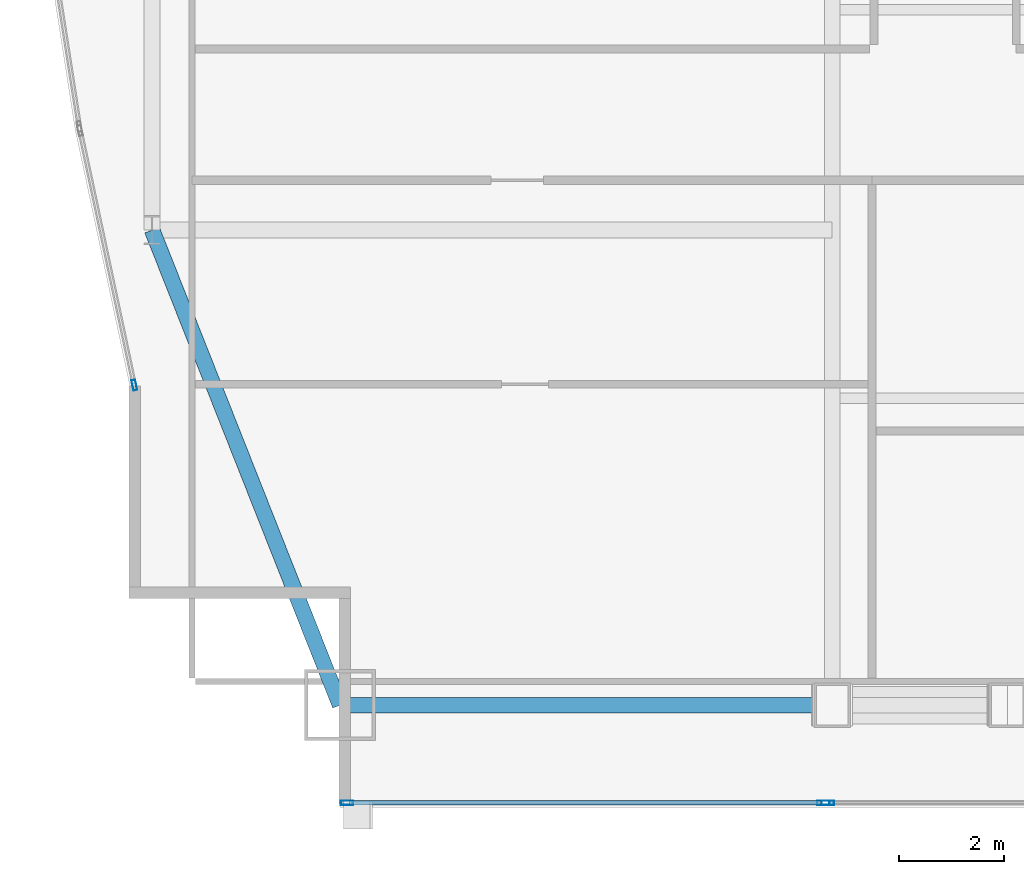
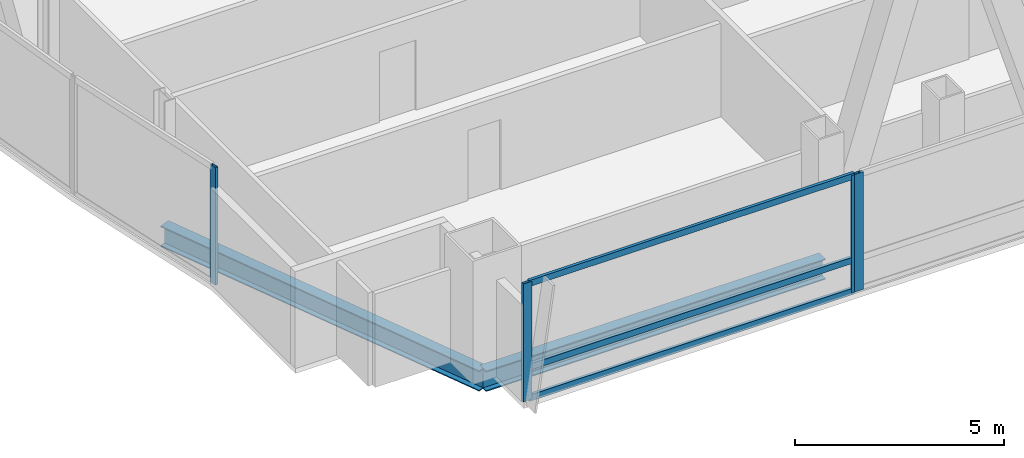
# One storey, part 5 of 30: 7 members, 2 beams, 3 elements without a shape of their own.
"""IFC4 building model written with IfcOpenShell, lengths in metres."""

import ifcopenshell
import ifcopenshell.guid

model = None  # the IFC model being written
_history = None  # IfcOwnerHistory: only IFC2X3 demands one
_inside = {}  # id of a spatial element -> (the spatial element, [elements in it])
_under = {}  # id of a project, library or spatial element -> (it, [spatial elements below it])
_declared = {}  # id of a project -> (the project, [libraries it declares])
_typed = {}  # id of a type object -> (the type object, [elements of that type])
_made_of = {}  # id of a material, layer set ... -> (it, [elements and type objects made of it])


def new_model(schema):
    """Start an empty IFC model of exactly this schema.

    Asked for "IFC4X3", IfcOpenShell would pick the latest addendum, in which some entities
    have other attributes; the version numbers below select the first issue.
    IFC2X3 requires an IfcOwnerHistory on every rooted entity: one is made here for all.
    """
    global model, _history
    if schema == "IFC4X3":
        model = ifcopenshell.file(schema_version=(4, 3, 0, 0))
    else:
        model = ifcopenshell.file(schema=schema)
    _inside.clear()
    _under.clear()
    _declared.clear()
    _typed.clear()
    _made_of.clear()
    _history = None
    if model.schema == "IFC2X3":
        org = make("IfcOrganization", Name="unknown")
        user = make(
            "IfcPersonAndOrganization",
            ThePerson=make("IfcPerson", FamilyName="unknown"),
            TheOrganization=org,
        )
        app = make(
            "IfcApplication",
            ApplicationDeveloper=org,
            Version="unknown",
            ApplicationFullName="unknown",
            ApplicationIdentifier="unknown",
        )
        _history = make(
            "IfcOwnerHistory",
            OwningUser=user,
            OwningApplication=app,
            ChangeAction="ADDED",
            CreationDate=0,
        )
    return model


def make(cls, **values):
    """One entity of the class cls with the attributes given. An attribute that is None is left unset."""
    return model.create_entity(
        cls, **{name: value for name, value in values.items() if value is not None}
    )


def rooted(cls, **values):
    """An entity with a GlobalId (a new one), such as an element, a storey or a relation."""
    return make(cls, GlobalId=ifcopenshell.guid.new(), OwnerHistory=_history, **values)


def si_unit(unit_type, name, prefix=None):
    """IfcSIUnit, for example si_unit("LENGTHUNIT", "METRE", prefix="MILLI")."""
    return make("IfcSIUnit", UnitType=unit_type, Prefix=prefix, Name=name)


def assignment(units):
    """IfcUnitAssignment: the units of a project."""
    return None if units is None else make("IfcUnitAssignment", Units=units)


def point(xyz):
    """IfcCartesianPoint."""
    return None if xyz is None else make("IfcCartesianPoint", Coordinates=xyz)


def direction(xyz):
    """IfcDirection."""
    return None if xyz is None else make("IfcDirection", DirectionRatios=xyz)


def frame(location, z_axis=None, x_axis=None):
    """IfcAxis2Placement3D, a coordinate frame: its origin and axes. An axis left out is left unset."""
    return make(
        "IfcAxis2Placement3D",
        Location=point(location),
        Axis=direction(z_axis),
        RefDirection=direction(x_axis),
    )


def frame_2d(location, x_axis=None):
    """IfcAxis2Placement2D, a coordinate frame in the plane: its origin and x axis."""
    return make(
        "IfcAxis2Placement2D", Location=point(location), RefDirection=direction(x_axis)
    )


def origin():
    """The frame at (0, 0, 0) with its axes left unset."""
    return frame((0.0, 0.0, 0.0))


def origin_2d():
    """The frame at (0, 0) in the plane with its x axis left unset."""
    return frame_2d((0.0, 0.0))


def place(relative_to, where):
    """IfcLocalPlacement: puts the frame where relative to a parent placement (None: the world)."""
    return make(
        "IfcLocalPlacement", PlacementRelTo=relative_to, RelativePlacement=where
    )


def context(
    kind, dimensions, precision=None, world=None, true_north=None, identifier=None
):
    """IfcGeometricRepresentationContext, for example the 3D "Model" context."""
    return make(
        "IfcGeometricRepresentationContext",
        ContextIdentifier=identifier,
        ContextType=kind,
        CoordinateSpaceDimension=dimensions,
        Precision=precision,
        WorldCoordinateSystem=world,
        TrueNorth=true_north,
    )


def subcontext(parent, identifier, kind, view, scale=None):
    """IfcGeometricRepresentationSubContext, for example "Body" below "Model"."""
    return make(
        "IfcGeometricRepresentationSubContext",
        ContextIdentifier=identifier,
        ContextType=kind,
        ParentContext=parent,
        TargetScale=scale,
        TargetView=view,
    )


def project(units=None, contexts=None):
    """IfcProject with its units and contexts."""
    return rooted(
        "IfcProject",
        Name="project",
        RepresentationContexts=contexts,
        UnitsInContext=assignment(units),
    )


def spatial(cls, under=None, at=None, **own):
    """A site, building, storey or space (cls), placed at a placement, below another one or the project."""
    s = rooted(cls, ObjectPlacement=at, **own)
    if under is not None:
        _under.setdefault(under.id(), (under, []))[1].append(s)
    return s


def profile(cls, at=None, kind="AREA", **sizes):
    """A parametric profile (cls). Its sizes go by their IFC names, for example OverallWidth=200.0."""
    return make(cls, ProfileType=kind, Position=at, **sizes)


def hollow_rectangle(**sizes):
    """IfcRectangleHollowProfileDef."""
    return profile("IfcRectangleHollowProfileDef", **sizes)


def i_section(**sizes):
    """IfcIShapeProfileDef."""
    return profile("IfcIShapeProfileDef", **sizes)


def extrude(swept, where, along, depth):
    """IfcExtrudedAreaSolid: the profile swept, set in the frame where, extruded along a direction by depth."""
    return make(
        "IfcExtrudedAreaSolid",
        SweptArea=swept,
        Position=where,
        ExtrudedDirection=direction(along),
        Depth=depth,
    )


def shape(context_of_items, identifier, shape_type, items):
    """IfcShapeRepresentation: the items that make up one representation, for example the "Body"."""
    return make(
        "IfcShapeRepresentation",
        ContextOfItems=context_of_items,
        RepresentationIdentifier=identifier,
        RepresentationType=shape_type,
        Items=items,
    )


def material(Name=None, Category=None):
    """IfcMaterial."""
    return make("IfcMaterial", Name=Name, Category=Category)


def material_profile(
    of_material, cross_section, Name=None, Category=None, Priority=None
):
    """IfcMaterialProfile: a cross section and its material."""
    return make(
        "IfcMaterialProfile",
        Name=Name,
        Material=of_material,
        Profile=cross_section,
        Priority=Priority,
        Category=Category,
    )


def profile_set(profiles, Name=None, composite=None):
    """IfcMaterialProfileSet."""
    return make(
        "IfcMaterialProfileSet",
        Name=Name,
        MaterialProfiles=profiles,
        CompositeProfile=composite,
    )


def made_of(thing, what):
    """Note that an element or type object is made of a material, layer set ...; save() writes the relation."""
    if what is not None:
        _made_of.setdefault(what.id(), (what, []))[1].append(thing)
    return thing


def type_object(cls, material=None, **own):
    """A type object (cls), such as IfcWallType, which elements share."""
    return made_of(rooted(cls, **own), material)


def element(
    cls,
    number,
    at=None,
    inside=None,
    cuts=None,
    type_object=None,
    material=None,
    context=None,
    identifier="Body",
    shape_type=None,
    held_by="IfcProductDefinitionShape",
    body=None,
    shapes=None,
    **own,
):
    """One element of the class cls, such as IfcWall. Its Tag is "e" and its number.

    at: its placement. inside: the storey or other place that contains it. cuts: it is an
    opening in that element (IfcRelVoidsElement). A single representation is given by context,
    identifier, shape_type and body (its items); several are given by shapes. held_by: the class
    of the entity that holds the representations. save() writes the other relations.
    """
    e = rooted(cls, Tag="e%d" % number, ObjectPlacement=at, **own)
    if body is not None:
        shapes = [shape(context, identifier, shape_type, body)]
    if shapes is not None:
        e.Representation = make(held_by, Representations=shapes)
    if inside is not None:
        _inside.setdefault(inside.id(), (inside, []))[1].append(e)
    if cuts is not None:
        rooted(
            "IfcRelVoidsElement", RelatingBuildingElement=cuts, RelatedOpeningElement=e
        )
    if type_object is not None:
        _typed.setdefault(type_object.id(), (type_object, []))[1].append(e)
    return made_of(e, material)


def aggregate(whole, parts):
    """IfcRelAggregates: a whole, such as a stair, and the parts it consists of."""
    return rooted("IfcRelAggregates", RelatingObject=whole, RelatedObjects=parts)


def save(model, path):
    """Write the relations noted so far, then the file.

    IfcRelAggregates (storeys below a building ...), IfcRelContainedInSpatialStructure (elements
    in a storey), IfcRelDefinesByType, IfcRelAssociatesMaterial and IfcRelDeclares: one each for
    every whole, place, type object, material and project.
    """
    for whole, parts in _under.values():
        aggregate(whole, parts)
    for where, things in _inside.values():
        rooted(
            "IfcRelContainedInSpatialStructure",
            RelatedElements=things,
            RelatingStructure=where,
        )
    for kind, things in _typed.values():
        rooted("IfcRelDefinesByType", RelatedObjects=things, RelatingType=kind)
    for what, things in _made_of.values():
        rooted("IfcRelAssociatesMaterial", RelatedObjects=things, RelatingMaterial=what)
    for by, libraries in _declared.values():
        rooted("IfcRelDeclares", RelatingContext=by, RelatedDefinitions=libraries)
    model.write(path)


model = new_model("IFC4")

# Units and contexts
model_context = context("Model", 3, precision=1e-05, world=origin(), true_north=direction((0.0, 1.0)))
body_context = subcontext(model_context, "Body", "Model", "MODEL_VIEW")
ifc_project = project(units=[si_unit("LENGTHUNIT", "METRE"), si_unit("AREAUNIT", "SQUARE_METRE"), si_unit("VOLUMEUNIT", "CUBIC_METRE"), si_unit("PLANEANGLEUNIT", "RADIAN"), si_unit("MASSUNIT", "GRAM", prefix="KILO")], contexts=[model_context])

# Site, building, storey
site_placement = place(None, origin())
site = spatial("IfcSite", under=ifc_project, at=site_placement, CompositionType="ELEMENT")
building_placement = place(site_placement, origin())
building = spatial("IfcBuilding", under=site, at=building_placement, Name="Khoronbel Lancet Exchange", CompositionType="ELEMENT")
storey_placement = place(building_placement, frame((0.0, 0.0, 157.800048828125)))
storey = spatial("IfcBuildingStorey", under=building, at=storey_placement, Name="L39", CompositionType="ELEMENT", Elevation=157.800048828125)

# Beams
ifc_material_1 = material(Name="Steel S355", Category="steel")
ifc_material_profile_1 = material_profile(ifc_material_1, i_section(OverallWidth=0.300048828125, OverallDepth=0.60009765625, WebThickness=0.015380859375, FlangeThickness=0.030029296875, at=origin_2d()), Name="HEB 600")
ifc_profile_set_1 = profile_set([ifc_material_profile_1], Name="Steel S355")
beam_type = type_object("IfcBeamType", Name="BM-BSP2", PredefinedType="SPANDREL", material=ifc_profile_set_1)
beam_1_placement = place(storey_placement, frame((8.85009765625, 10.14990234375, -0.4599609375), z_axis=(1.0, 0.0, 0.0), x_axis=(0.0, 1.0, 0.0)))
element("IfcBeam", 1, at=beam_1_placement, inside=storey, type_object=beam_type, Name="Level L39 perimeter spandrel beam SP01", PredefinedType="SPANDREL", context=body_context, shape_type="SweptSolid", body=[
    extrude(i_section(OverallWidth=0.300048828125, OverallDepth=0.60009765625, WebThickness=0.015380859375, FlangeThickness=0.030029296875, at=origin_2d()), origin(), (0.0, 0.0, 1.0), 9.375),
])
beam_2_placement = place(storey_placement, frame((5.27001953125, 19.199951171875, -0.4599609375), z_axis=(0.367850095026, -0.92988510451, 0.0), x_axis=(0.92988510451, 0.367850095026, 0.0)))
element("IfcBeam", 2, at=beam_2_placement, inside=storey, type_object=beam_type, Name="Level L39 perimeter spandrel beam SP21", PredefinedType="SPANDREL", context=body_context, shape_type="SweptSolid", body=[
    extrude(i_section(OverallWidth=0.300048828125, OverallDepth=0.60009765625, WebThickness=0.015380859375, FlangeThickness=0.030029296875, at=origin_2d()), origin(), (0.0, 0.0, 1.0), 9.732421875),
])

# Curtain wall, members
ifc_material_2 = material(Name="Low-E Solar Control Insulating Glass", Category="glass")
curtain_wall_type_1 = type_object("IfcCurtainWallType", Name="CW-3", PredefinedType="NOTDEFINED", material=ifc_material_2)
curtain_wall_1_placement = place(storey_placement, origin())
curtain_wall_1 = element("IfcCurtainWall", 3, at=curtain_wall_1_placement, inside=storey, type_object=curtain_wall_type_1, Name="Unitised curtain wall CW-L39-SWV", PredefinedType="NOTDEFINED")
ifc_material_3 = material(Name="Bronze-Anodised Aluminium 6063-T6", Category="aluminium")
ifc_material_profile_2 = material_profile(ifc_material_3, hollow_rectangle(XDim=0.0849609375, YDim=0.239990234375, WallThickness=0.006103515625, at=origin_2d()), Name="ALU MULLION 85x240")
ifc_profile_set_2 = profile_set([ifc_material_profile_2], Name="Bronze-Anodised Aluminium 6063-T6")
member_type_1 = type_object("IfcMemberType", Name="MEM-CWM1", PredefinedType="MULLION", material=ifc_profile_set_2)
member_1_placement = place(storey_placement, frame((8.982421875, 8.2900390625, 0.0), z_axis=(0.0, 0.0, 1.0), x_axis=(0.0, 1.0, 0.0)))
member_1 = element("IfcMember", 4, at=member_1_placement, type_object=member_type_1, Name="CW3 mullion 1", PredefinedType="MULLION", context=body_context, shape_type="SweptSolid", body=[
    extrude(hollow_rectangle(XDim=0.0849609375, YDim=0.239990234375, WallThickness=0.006103515625, at=origin_2d()), origin(), (0.0, 0.0, 1.0), 3.43994140625),
])
member_2_placement = place(storey_placement, frame((18.0576171875, 8.2900390625, 0.0), z_axis=(0.0, 0.0, 1.0), x_axis=(0.0, 1.0, 0.0)))
member_2 = element("IfcMember", 5, at=member_2_placement, type_object=member_type_1, Name="CW3 mullion 2", PredefinedType="MULLION", context=body_context, shape_type="SweptSolid", body=[
    extrude(hollow_rectangle(XDim=0.0849609375, YDim=0.239990234375, WallThickness=0.006103515625, at=origin_2d()), origin(), (0.0, 0.0, 1.0), 3.43994140625),
])

# Curtain wall, member
curtain_wall_2_placement = place(storey_placement, origin())
curtain_wall_2 = element("IfcCurtainWall", 6, at=curtain_wall_2_placement, inside=storey, type_object=curtain_wall_type_1, Name="Unitised curtain wall CW-L39-SWB", PredefinedType="NOTDEFINED")
member_3_placement = place(storey_placement, frame((18.142578125, 8.2900390625, 0.0), z_axis=(0.0, 0.0, 1.0), x_axis=(0.0, 1.0, 0.0)))
member_3 = element("IfcMember", 7, at=member_3_placement, type_object=member_type_1, Name="CW3 mullion 1", PredefinedType="MULLION", context=body_context, shape_type="SweptSolid", body=[
    extrude(hollow_rectangle(XDim=0.0849609375, YDim=0.239990234375, WallThickness=0.006103515625, at=origin_2d()), origin(), (0.0, 0.0, 1.0), 3.43994140625),
])
aggregate(curtain_wall_2, [member_3])

curtain_wall_type_2 = type_object("IfcCurtainWallType", Name="CW-4", PredefinedType="NOTDEFINED", material=ifc_material_2)
curtain_wall_3_placement = place(storey_placement, origin())
curtain_wall_3 = element("IfcCurtainWall", 8, at=curtain_wall_3_placement, inside=storey, type_object=curtain_wall_type_2, Name="Unitised curtain wall CW-L39-E04", PredefinedType="NOTDEFINED")
ifc_material_profile_3 = material_profile(ifc_material_3, hollow_rectangle(XDim=0.074951171875, YDim=0.199951171875, WallThickness=0.0048828125, at=origin_2d()), Name="ALU MULLION 75x200")
ifc_profile_set_3 = profile_set([ifc_material_profile_3], Name="Bronze-Anodised Aluminium 6063-T6")
member_type_2 = type_object("IfcMemberType", Name="MEM-CWM2", PredefinedType="MULLION", material=ifc_profile_set_3)
member_4_placement = place(storey_placement, frame((4.93212890625, 16.24609375, 0.0), z_axis=(0.0, 0.0, 1.0), x_axis=(-0.978023090529, -0.208496605228, 0.0)))
member_4 = element("IfcMember", 9, at=member_4_placement, type_object=member_type_2, Name="CW4 mullion 1", PredefinedType="MULLION", context=body_context, shape_type="SweptSolid", body=[
    extrude(hollow_rectangle(XDim=0.074951171875, YDim=0.199951171875, WallThickness=0.0048828125, at=origin_2d()), origin(), (0.0, 0.0, 1.0), 3.43994140625),
])
aggregate(curtain_wall_3, [member_4])

# Member
ifc_material_profile_4 = material_profile(ifc_material_3, hollow_rectangle(XDim=0.0849609375, YDim=0.179931640625, WallThickness=0.0048828125, at=origin_2d()), Name="ALU TRANSOM 85x180")
ifc_profile_set_4 = profile_set([ifc_material_profile_4], Name="Bronze-Anodised Aluminium 6063-T6")
member_type_3 = type_object("IfcMemberType", Name="MEM-CWT1", PredefinedType="USERDEFINED", material=ifc_profile_set_4)
member_5_placement = place(storey_placement, frame((9.02490234375, 8.2900390625, 0.04248046875), z_axis=(1.0, 0.0, 0.0), x_axis=(0.0, 1.0, 0.0)))
member_5 = element("IfcMember", 10, at=member_5_placement, type_object=member_type_3, Name="CW3 transom 1.1", ObjectType="TRANSOM", PredefinedType="USERDEFINED", context=body_context, shape_type="SweptSolid", body=[
    extrude(hollow_rectangle(XDim=0.0849609375, YDim=0.179931640625, WallThickness=0.0048828125, at=origin_2d()), origin(), (0.0, 0.0, 1.0), 8.989990234375),
])

member_6_placement = place(storey_placement, frame((9.02490234375, 8.2900390625, 0.949951171875), z_axis=(1.0, 0.0, 0.0), x_axis=(0.0, 1.0, 0.0)))
member_6 = element("IfcMember", 11, at=member_6_placement, type_object=member_type_3, Name="CW3 transom 1.2", ObjectType="TRANSOM", PredefinedType="USERDEFINED", context=body_context, shape_type="SweptSolid", body=[
    extrude(hollow_rectangle(XDim=0.0849609375, YDim=0.179931640625, WallThickness=0.0048828125, at=origin_2d()), origin(), (0.0, 0.0, 1.0), 8.989990234375),
])

member_7_placement = place(storey_placement, frame((9.02490234375, 8.2900390625, 3.3974609375), z_axis=(1.0, 0.0, 0.0), x_axis=(0.0, 1.0, 0.0)))
member_7 = element("IfcMember", 12, at=member_7_placement, type_object=member_type_3, Name="CW3 transom 1.3", ObjectType="TRANSOM", PredefinedType="USERDEFINED", context=body_context, shape_type="SweptSolid", body=[
    extrude(hollow_rectangle(XDim=0.0849609375, YDim=0.179931640625, WallThickness=0.0048828125, at=origin_2d()), origin(), (0.0, 0.0, 1.0), 8.989990234375),
])

aggregate(curtain_wall_1, [member_1, member_2, member_5, member_6, member_7])

save(model, "model.ifc")
